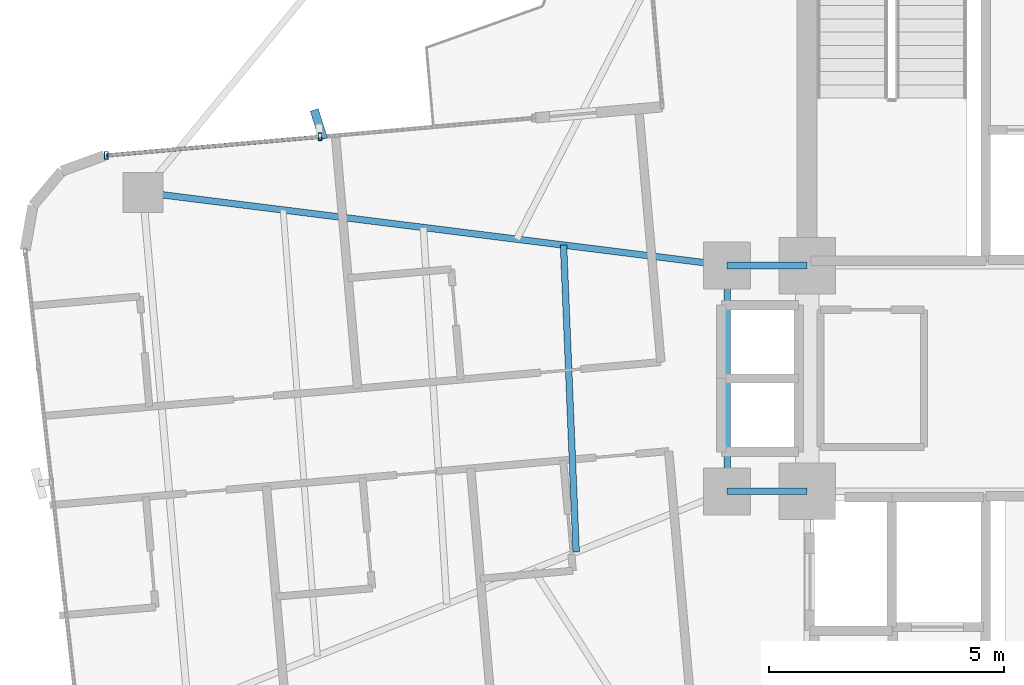
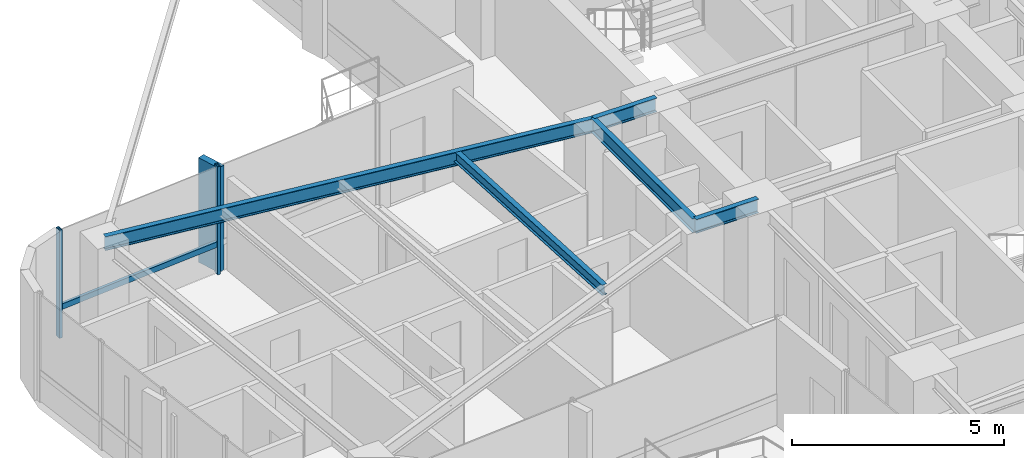
# One storey, part 9 of 24: 5 beams, 4 members, 1 element without a shape of its own.
"""IFC4 building model written with IfcOpenShell, lengths in metres."""

from ifc_helpers import new_model, si_unit, direction, frame, origin, origin_2d, place, context, subcontext, project, spatial, rectangle, hollow_rectangle, i_section, extrude, source, transform, mapped, material, material_profile, profile_set, type_object, element, aggregate, save


model = new_model("IFC4")

# Units and contexts
model_context = context("Model", 3, precision=1e-05, world=origin(), true_north=direction((0.0, 1.0)))
body_context = subcontext(model_context, "Body", "Model", "MODEL_VIEW")
ifc_project = project(units=[si_unit("LENGTHUNIT", "METRE"), si_unit("AREAUNIT", "SQUARE_METRE"), si_unit("VOLUMEUNIT", "CUBIC_METRE"), si_unit("PLANEANGLEUNIT", "RADIAN"), si_unit("MASSUNIT", "GRAM", prefix="KILO")], contexts=[model_context])

# Site, building, storey
site_placement = place(None, origin())
site = spatial("IfcSite", under=ifc_project, at=site_placement, CompositionType="ELEMENT")
building_placement = place(site_placement, origin())
building = spatial("IfcBuilding", under=site, at=building_placement, Name="Sahyath Konkavel Grand Hotel", CompositionType="ELEMENT")
storey_placement = place(building_placement, frame((0.0, 0.0, 153.949951171875)))
storey = spatial("IfcBuildingStorey", under=building, at=storey_placement, Name="L42", CompositionType="ELEMENT", Elevation=153.949951171875)

# Beams
ifc_material_1 = material(Name="Steel E350", Category="steel")
ifc_material_profile_1 = material_profile(ifc_material_1, i_section(OverallWidth=0.139892578125, OverallDepth=0.39990234375, WebThickness=0.0087890625, FlangeThickness=0.01611328125, FilletRadius=0.013916015625, at=origin_2d()), Name="ISMB 400")
ifc_profile_set_1 = profile_set([ifc_material_profile_1], Name="Steel E350")
beam_type_1 = type_object("IfcBeamType", Name="BM-ISMB400", PredefinedType="BEAM", material=ifc_profile_set_1)
shared_shape_1 = source(origin(), body_context, "Body", "SweptSolid", [
    extrude(i_section(OverallWidth=0.139892578125, OverallDepth=0.39990234375, WebThickness=0.0087890625, FlangeThickness=0.01611328125, FilletRadius=0.013916015625, at=origin_2d()), origin(), (0.0, 0.0, 1.0), 1.699951171875),
])
for number, where, z_axis, x_axis, name in (
    (1, (-5.5, 2.39990234375, 2.91015625), (1.0, 0.0, 0.0), (0.0, 1.0, 0.0), "str:bm:L42:HB-NW"),
    (2, (-5.5, -2.39990234375, 2.91015625), (1.0, 0.0, 0.0), (0.0, 1.0, 0.0), "str:bm:L42:HB-SW"),
):
    element("IfcBeam", number, at=place(storey_placement, frame(where, z_axis=z_axis, x_axis=x_axis)), inside=storey, type_object=beam_type_1, Name=name, PredefinedType="BEAM", context=body_context, shape_type="MappedRepresentation", body=[
        mapped(shared_shape_1, transform((0.0, 0.0, 0.0), scale=1.0)),
    ])
shared_shape_2 = source(origin(), body_context, "Body", "SweptSolid", [
    extrude(i_section(OverallWidth=0.139892578125, OverallDepth=0.39990234375, WebThickness=0.0087890625, FlangeThickness=0.01611328125, FilletRadius=0.013916015625, at=origin_2d()), origin(), (0.0, 0.0, 1.0), 4.7998046875),
])
beam_1_placement = place(storey_placement, frame((-5.5, -2.39990234375, 2.91015625), z_axis=(0.0, 1.0, 0.0), x_axis=(-1.0, 0.0, 0.0)))
element("IfcBeam", 3, at=beam_1_placement, inside=storey, type_object=beam_type_1, Name="str:bm:L42:HB-W", PredefinedType="BEAM", context=body_context, shape_type="MappedRepresentation", body=[
    mapped(shared_shape_2, transform((0.0, 0.0, 0.0), scale=1.0)),
])
shared_shape_3 = source(origin(), body_context, "Body", "SweptSolid", [
    extrude(i_section(OverallWidth=0.139892578125, OverallDepth=0.39990234375, WebThickness=0.0087890625, FlangeThickness=0.01611328125, FilletRadius=0.013916015625, at=origin_2d()), origin(), (0.0, 0.0, 1.0), 12.509765625),
])
beam_2_placement = place(storey_placement, frame((-5.5, 2.39990234375, 2.91015625), z_axis=(-0.992254740459, 0.124219684578, 0.0), x_axis=(-0.124219684578, -0.992254740459, 0.0)))
element("IfcBeam", 4, at=beam_2_placement, inside=storey, type_object=beam_type_1, Name="L42 Cruciform Radial Girder WA", PredefinedType="BEAM", context=body_context, shape_type="MappedRepresentation", body=[
    mapped(shared_shape_3, transform((0.0, 0.0, 0.0), scale=1.0)),
])
ifc_material_profile_2 = material_profile(ifc_material_1, i_section(OverallWidth=0.139892578125, OverallDepth=0.300048828125, WebThickness=0.0078125, FlangeThickness=0.01318359375, FilletRadius=0.013916015625, at=origin_2d()), Name="ISMB 300")
ifc_profile_set_2 = profile_set([ifc_material_profile_2], Name="Steel E350")
beam_type_2 = type_object("IfcBeamType", Name="BM-ISMB300", PredefinedType="BEAM", material=ifc_profile_set_2)
shared_shape_4 = source(origin(), body_context, "Body", "SweptSolid", [
    extrude(i_section(OverallWidth=0.139892578125, OverallDepth=0.300048828125, WebThickness=0.0078125, FlangeThickness=0.01318359375, FilletRadius=0.013916015625, at=origin_2d()), origin(), (0.0, 0.0, 1.0), 6.530029296875),
])
beam_3_placement = place(storey_placement, frame((-8.9755859375, 2.835205078125, 2.9599609375), z_axis=(0.04112667768, -0.999153940283, 0.0), x_axis=(0.999153940283, 0.04112667768, 0.0)))
element("IfcBeam", 5, at=beam_3_placement, inside=storey, type_object=beam_type_2, Name="L42 Secondary Floor Beam W-1", PredefinedType="BEAM", context=body_context, shape_type="MappedRepresentation", body=[
    mapped(shared_shape_4, transform((0.0, 0.0, 0.0), scale=1.0)),
])

# Curtain wall, members
ifc_material_2 = material(Name="Anodised Bronze Aluminium & Low-E Glazing", Category="aluminium")
curtain_wall_type = type_object("IfcCurtainWallType", Name="CW-ZONE3", PredefinedType="NOTDEFINED", material=ifc_material_2)
curtain_wall_placement = place(storey_placement, origin())
curtain_wall = element("IfcCurtainWall", 6, at=curtain_wall_placement, inside=storey, type_object=curtain_wall_type, Name="L42 Unitised Curtain Wall F16", PredefinedType="NOTDEFINED")
ifc_material_3 = material(Name="Warm Buff Sandstone Cladding on Concrete C50/60", Category="masonry")
ifc_material_profile_3 = material_profile(ifc_material_3, rectangle(XDim=0.179931640625, YDim=0.64990234375, at=origin_2d()), Name="FIN 180x650")
ifc_profile_set_3 = profile_set([ifc_material_profile_3], Name="Warm Buff Sandstone Cladding on Concrete C50/60")
member_type_1 = type_object("IfcMemberType", Name="FIN-SANDSTONE-650", PredefinedType="MULLION", material=ifc_profile_set_3)
shared_shape_5 = source(origin(), body_context, "Body", "SweptSolid", [
    extrude(rectangle(XDim=0.179931640625, YDim=0.64990234375, at=origin_2d()), origin(), (0.0, 0.0, 1.0), 3.010009765625),
])
member_1_placement = place(storey_placement, frame((-14.17431640625, 5.39501953125, 0.050048828125), z_axis=(0.0, 0.0, 1.0), x_axis=(0.953032216634, 0.302868938746, 0.0)))
member_1 = element("IfcMember", 7, at=member_1_placement, type_object=member_type_1, Name="L42 Sandstone Vertical Solar Fin FIN F16-1", PredefinedType="MULLION", context=body_context, shape_type="MappedRepresentation", body=[
    mapped(shared_shape_5, transform((0.0, 0.0, 0.0), scale=1.0)),
])
ifc_material_4 = material(Name="Anodised Bronze Aluminium", Category="aluminium")
ifc_material_profile_4 = material_profile(ifc_material_4, hollow_rectangle(XDim=0.080078125, YDim=0.159912109375, WallThickness=0.006103515625, at=origin_2d()), Name="RHS 160x80x6")
ifc_profile_set_4 = profile_set([ifc_material_profile_4], Name="Anodised Bronze Aluminium")
member_type_2 = type_object("IfcMemberType", Name="CW-MUL-160", PredefinedType="MULLION", material=ifc_profile_set_4)
shared_shape_6 = source(origin(), body_context, "Body", "SweptSolid", [
    extrude(hollow_rectangle(XDim=0.080078125, YDim=0.159912109375, WallThickness=0.006103515625, at=origin_2d()), origin(), (0.0, 0.0, 1.0), 3.110107421875),
])
member_2_placement = place(storey_placement, frame((-14.151611328125, 5.135986328125, 0.0), z_axis=(0.0, 0.0, 1.0), x_axis=(1.0, 0.0, 0.0)))
member_2 = element("IfcMember", 8, at=member_2_placement, type_object=member_type_2, Name="L42 Curtain Wall Mullion F16-1", PredefinedType="MULLION", context=body_context, shape_type="MappedRepresentation", body=[
    mapped(shared_shape_6, transform((0.0, 0.0, 0.0), scale=1.0)),
])
member_3_placement = place(storey_placement, frame((-18.694091796875, 4.73876953125, 0.0), z_axis=(0.0, 0.0, 1.0), x_axis=(1.0, 0.0, 0.0)))
member_3 = element("IfcMember", 9, at=member_3_placement, type_object=member_type_2, Name="L42 Curtain Wall Mullion F16-2", PredefinedType="MULLION", context=body_context, shape_type="MappedRepresentation", body=[
    mapped(shared_shape_6, transform((0.0, 0.0, 0.0), scale=1.0)),
])
ifc_material_profile_5 = material_profile(ifc_material_4, hollow_rectangle(XDim=0.080078125, YDim=0.159912109375, WallThickness=0.006103515625, at=origin_2d()), Name="RHS 160x80x6")
ifc_profile_set_5 = profile_set([ifc_material_profile_5], Name="Anodised Bronze Aluminium")
member_type_3 = type_object("IfcMemberType", Name="CW-TRN-160", PredefinedType="USERDEFINED", material=ifc_profile_set_5)
shared_shape_7 = source(origin(), body_context, "Body", "SweptSolid", [
    extrude(hollow_rectangle(XDim=0.080078125, YDim=0.159912109375, WallThickness=0.006103515625, at=origin_2d()), origin(), (0.0, 0.0, 1.0), 4.559814453125),
])
member_4_placement = place(storey_placement, frame((-14.151611328125, 5.135986328125, 0.85009765625), z_axis=(-0.99619848155, -0.087112486804, 0.0), x_axis=(0.087112486804, -0.99619848155, 0.0)))
member_4 = element("IfcMember", 10, at=member_4_placement, type_object=member_type_3, Name="L42 Curtain Wall Transom F16-1-spandrel", ObjectType="TRANSOM", PredefinedType="USERDEFINED", context=body_context, shape_type="MappedRepresentation", body=[
    mapped(shared_shape_7, transform((0.0, 0.0, 0.0), scale=1.0)),
])
aggregate(curtain_wall, [member_2, member_1, member_3, member_4])

save(model, "model.ifc")
